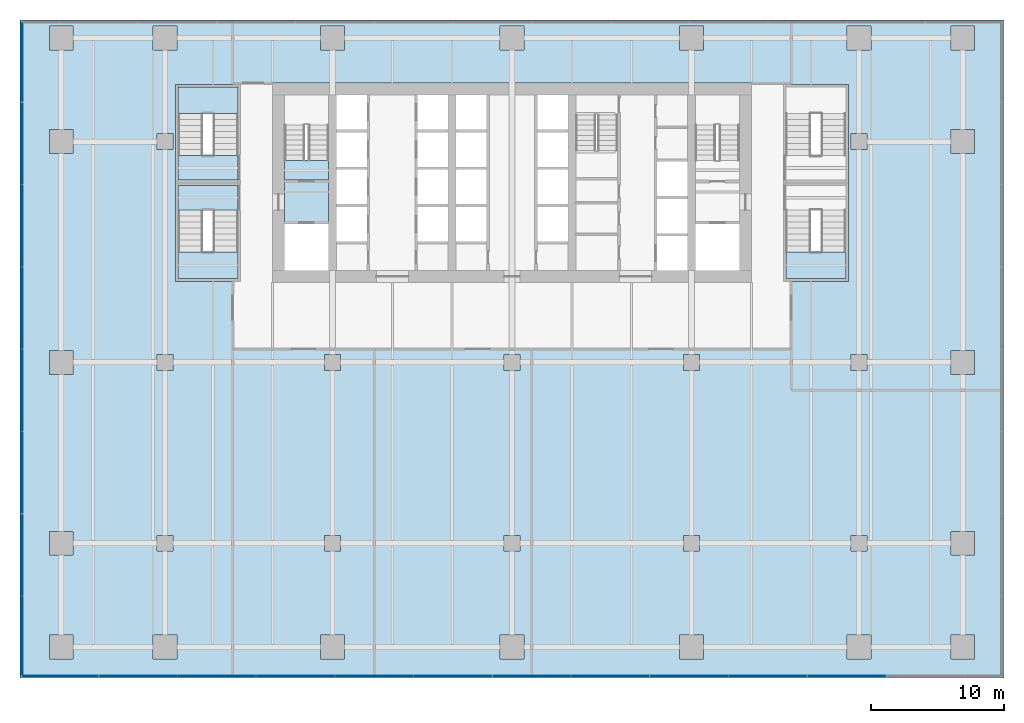
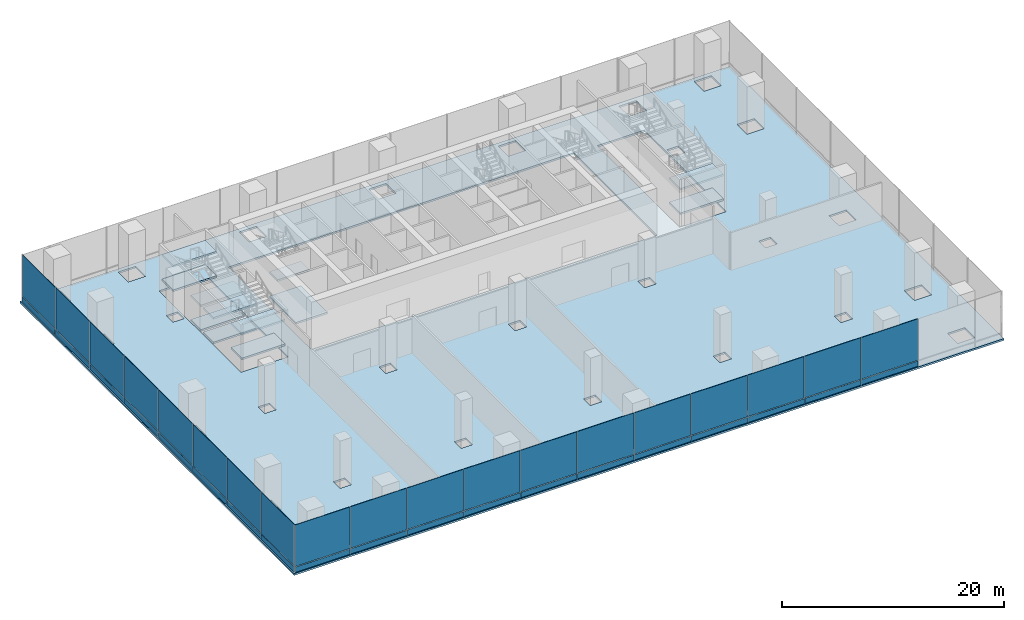
# One storey, part 17 of 26: 38 plates, 13 slabs, 6 elements without a shape of their own.
"""IFC4 building model written with IfcOpenShell, lengths in metres."""

from ifc_helpers import new_model, si_unit, direction, frame, origin, origin_2d, place, context, subcontext, project, spatial, polyline, rectangle, outline, extrude, material, layer, layer_set, type_object, element, aggregate, save


model = new_model("IFC4")

# Units and contexts
model_context = context("Model", 3, precision=1e-05, world=origin(), true_north=direction((0.0, 1.0)))
body_context = subcontext(model_context, "Body", "Model", "MODEL_VIEW")
ifc_project = project(units=[si_unit("LENGTHUNIT", "METRE"), si_unit("AREAUNIT", "SQUARE_METRE"), si_unit("VOLUMEUNIT", "CUBIC_METRE"), si_unit("PLANEANGLEUNIT", "RADIAN"), si_unit("MASSUNIT", "GRAM", prefix="KILO")], contexts=[model_context])

# Site, building, storey
site_placement = place(None, origin())
site = spatial("IfcSite", under=ifc_project, at=site_placement, CompositionType="ELEMENT")
building_placement = place(site_placement, origin())
building = spatial("IfcBuilding", under=site, at=building_placement, Name="Rattan Terrace Tower", CompositionType="ELEMENT")
storey_placement = place(building_placement, frame((0.0, 0.0, 7.199951171875)))
storey = spatial("IfcBuildingStorey", under=building, at=storey_placement, Name="L01", CompositionType="ELEMENT", Elevation=7.199951171875)

# Stair, slab
ifc_material_1 = material(Name="Concrete C40/50", Category="concrete")
stair_type_1 = type_object("IfcStairType", Name="Core exit stair 1500", PredefinedType="HALF_TURN_STAIR", material=ifc_material_1)
stair_1_placement = place(storey_placement, origin())
stair_1 = element("IfcStair", 1, at=stair_1_placement, inside=storey, type_object=stair_type_1, Name="L01 exit stair 1", PredefinedType="HALF_TURN_STAIR")
ifc_material_2 = material(Name="Concrete C40/50", Category="concrete")
ifc_layer_1 = layer(ifc_material_2, 0.199951171875)
ifc_layer_set_1 = layer_set([ifc_layer_1], Name="Core exit stair landing")
slab_type_1 = type_object("IfcSlabType", Name="Core exit stair landing", PredefinedType="LANDING", material=ifc_layer_set_1)
slab_1_placement = place(storey_placement, frame((0.0, 0.0, 2.5)))
slab_1 = element("IfcSlab", 2, at=slab_1_placement, type_object=slab_type_1, Name="S1 landing 2", PredefinedType="LANDING", context=body_context, shape_type="SweptSolid", body=[
    extrude(outline(polyline([(-13.800048828125, 0.199951171875), (-13.800048828125, 1.699951171875), (-17.10009765625, 1.699951171875), (-17.10009765625, 0.199951171875), (-13.800048828125, 0.199951171875)])), origin(), (0.0, 0.0, 1.0), 0.199951171875),
])
aggregate(stair_1, [slab_1])

# Stair, slabs
ifc_material_3 = material(Name="Concrete C40/50", Category="concrete")
stair_type_2 = type_object("IfcStairType", Name="Core exit stair 1850", PredefinedType="HALF_TURN_STAIR", material=ifc_material_3)
stair_2_placement = place(storey_placement, origin())
stair_2 = element("IfcStair", 3, at=stair_2_placement, inside=storey, type_object=stair_type_2, Name="L01 exit stair 4", PredefinedType="HALF_TURN_STAIR")
slab_2_placement = place(storey_placement, frame((0.0, 0.0, 1.150146484375)))
slab_2 = element("IfcSlab", 4, at=slab_2_placement, type_object=slab_type_1, Name="S4 landing 1", PredefinedType="LANDING", context=body_context, shape_type="SweptSolid", body=[
    extrude(outline(polyline([(-25.10009765625, -5.199951171875), (-25.10009765625, -7.199951171875), (-20.60009765625, -7.199951171875), (-20.60009765625, -5.199951171875), (-25.10009765625, -5.199951171875)])), origin(), (0.0, 0.0, 1.0), 0.199951171875),
])
slab_3_placement = place(storey_placement, frame((0.0, 0.0, 2.5)))
slab_3 = element("IfcSlab", 5, at=slab_3_placement, type_object=slab_type_1, Name="S4 landing 2", PredefinedType="LANDING", context=body_context, shape_type="SweptSolid", body=[
    extrude(outline(polyline([(-25.10009765625, -0.199951171875), (-25.10009765625, -2.050048828125), (-20.60009765625, -2.050048828125), (-20.60009765625, -0.199951171875), (-25.10009765625, -0.199951171875)])), origin(), (0.0, 0.0, 1.0), 0.199951171875),
])
slab_4_placement = place(storey_placement, frame((0.0, 0.0, 3.85009765625)))
slab_4 = element("IfcSlab", 6, at=slab_4_placement, type_object=slab_type_1, Name="S4 landing 3", PredefinedType="LANDING", context=body_context, shape_type="SweptSolid", body=[
    extrude(outline(polyline([(-25.10009765625, -5.199951171875), (-25.10009765625, -7.199951171875), (-20.60009765625, -7.199951171875), (-20.60009765625, -5.199951171875), (-25.10009765625, -5.199951171875)])), origin(), (0.0, 0.0, 1.0), 0.199951171875),
])
aggregate(stair_2, [slab_2, slab_3, slab_4])

stair_3_placement = place(storey_placement, origin())
stair_3 = element("IfcStair", 7, at=stair_3_placement, inside=storey, type_object=stair_type_2, Name="L01 exit stair 5", PredefinedType="HALF_TURN_STAIR")
slab_5_placement = place(storey_placement, frame((0.0, 0.0, 1.150146484375)))
slab_5 = element("IfcSlab", 8, at=slab_5_placement, type_object=slab_type_1, Name="S5 landing 1", PredefinedType="LANDING", context=body_context, shape_type="SweptSolid", body=[
    extrude(outline(polyline([(-20.60009765625, 5.199951171875), (-20.60009765625, 7.199951171875), (-25.10009765625, 7.199951171875), (-25.10009765625, 5.199951171875), (-20.60009765625, 5.199951171875)])), origin(), (0.0, 0.0, 1.0), 0.199951171875),
])
slab_6_placement = place(storey_placement, frame((0.0, 0.0, 2.5)))
slab_6 = element("IfcSlab", 9, at=slab_6_placement, type_object=slab_type_1, Name="S5 landing 2", PredefinedType="LANDING", context=body_context, shape_type="SweptSolid", body=[
    extrude(outline(polyline([(-20.60009765625, 0.199951171875), (-20.60009765625, 2.050048828125), (-25.10009765625, 2.050048828125), (-25.10009765625, 0.199951171875), (-20.60009765625, 0.199951171875)])), origin(), (0.0, 0.0, 1.0), 0.199951171875),
])
slab_7_placement = place(storey_placement, frame((0.0, 0.0, 3.85009765625)))
slab_7 = element("IfcSlab", 10, at=slab_7_placement, type_object=slab_type_1, Name="S5 landing 3", PredefinedType="LANDING", context=body_context, shape_type="SweptSolid", body=[
    extrude(outline(polyline([(-20.60009765625, 5.199951171875), (-20.60009765625, 7.199951171875), (-25.10009765625, 7.199951171875), (-25.10009765625, 5.199951171875), (-20.60009765625, 5.199951171875)])), origin(), (0.0, 0.0, 1.0), 0.199951171875),
])
aggregate(stair_3, [slab_5, slab_6, slab_7])

stair_4_placement = place(storey_placement, origin())
stair_4 = element("IfcStair", 11, at=stair_4_placement, inside=storey, type_object=stair_type_2, Name="L01 exit stair 6", PredefinedType="HALF_TURN_STAIR")
slab_8_placement = place(storey_placement, frame((0.0, 0.0, 1.150146484375)))
slab_8 = element("IfcSlab", 12, at=slab_8_placement, type_object=slab_type_1, Name="S6 landing 1", PredefinedType="LANDING", context=body_context, shape_type="SweptSolid", body=[
    extrude(outline(polyline([(20.60009765625, -5.199951171875), (20.60009765625, -7.199951171875), (25.10009765625, -7.199951171875), (25.10009765625, -5.199951171875), (20.60009765625, -5.199951171875)])), origin(), (0.0, 0.0, 1.0), 0.199951171875),
])
slab_9_placement = place(storey_placement, frame((0.0, 0.0, 3.85009765625)))
slab_9 = element("IfcSlab", 13, at=slab_9_placement, type_object=slab_type_1, Name="S6 landing 3", PredefinedType="LANDING", context=body_context, shape_type="SweptSolid", body=[
    extrude(outline(polyline([(20.60009765625, -5.199951171875), (20.60009765625, -7.199951171875), (25.10009765625, -7.199951171875), (25.10009765625, -5.199951171875), (20.60009765625, -5.199951171875)])), origin(), (0.0, 0.0, 1.0), 0.199951171875),
])
aggregate(stair_4, [slab_8, slab_9])

# Slabs
ifc_material_4 = material(Name="Concrete C35/45", Category="concrete")
ifc_layer_2 = layer(ifc_material_4, 0.199951171875)
ifc_layer_set_2 = layer_set([ifc_layer_2], Name="Frame composite floor slab 200")
slab_type_2 = type_object("IfcSlabType", Name="Frame composite floor slab 200", PredefinedType="FLOOR", material=ifc_layer_set_2)
slab_10_placement = place(storey_placement, frame((0.0, 0.0, -0.199951171875)))
element("IfcSlab", 14, at=slab_10_placement, inside=storey, type_object=slab_type_2, Name="Floor slab", PredefinedType="FLOOR", context=body_context, shape_type="SweptSolid", body=[
    extrude(outline(polyline([(-37.0, -37.25), (37.0, -37.25), (37.0, 12.25), (-37.0, 12.25), (-37.0, -37.25)]), holes=[polyline([(-34.800048828125, -34.0), (-34.800048828125, -35.800048828125), (-33.0, -35.800048828125), (-33.0, -34.0), (-34.800048828125, -34.0)]), polyline([(-14.39990234375, -34.0), (-14.39990234375, -35.800048828125), (-12.60009765625, -35.800048828125), (-12.60009765625, -34.0), (-14.39990234375, -34.0)]), polyline([(-27.0, -34.0), (-27.0, -35.800048828125), (-25.199951171875, -35.800048828125), (-25.199951171875, -34.0), (-27.0, -34.0)]), polyline([(-12.89990234375, -26.5), (-14.10009765625, -26.5), (-14.10009765625, -27.699951171875), (-12.89990234375, -27.699951171875), (-12.89990234375, -26.5)]), polyline([(-25.5, -26.5), (-26.699951171875, -26.5), (-26.699951171875, -27.699951171875), (-25.5, -27.699951171875), (-25.5, -26.5)]), polyline([(-34.800048828125, -28.0), (-33.0, -28.0), (-33.0, -26.199951171875), (-34.800048828125, -26.199951171875), (-34.800048828125, -28.0)]), polyline([(-34.800048828125, -14.39990234375), (-33.0, -14.39990234375), (-33.0, -12.60009765625), (-34.800048828125, -12.60009765625), (-34.800048828125, -14.39990234375)]), polyline([(-14.10009765625, -12.89990234375), (-14.10009765625, -14.10009765625), (-12.89990234375, -14.10009765625), (-12.89990234375, -12.89990234375), (-14.10009765625, -12.89990234375)]), polyline([(-25.5, -12.89990234375), (-26.699951171875, -12.89990234375), (-26.699951171875, -14.10009765625), (-25.5, -14.10009765625), (-25.5, -12.89990234375)]), polyline([(-25.10009765625, -7.39990234375), (-20.60009765625, -7.39990234375), (-20.60009765625, -7.39990234375), (-20.39990234375, -7.39990234375), (-20.39990234375, 0.0), (-20.39990234375, 7.39990234375), (-20.60009765625, 7.39990234375), (-20.60009765625, 7.39990234375), (-25.10009765625, 7.39990234375), (-25.10009765625, 7.39990234375), (-25.300048828125, 7.39990234375), (-25.300048828125, 0.0), (-25.300048828125, -7.39990234375), (-25.10009765625, -7.39990234375), (-25.10009765625, -7.39990234375)]), polyline([(18.0, -6.60009765625), (18.0, 6.60009765625), (18.0, 7.5), (-18.0, 7.5), (-18.0, 6.60009765625), (-18.0, -6.60009765625), (-18.0, -7.5), (18.0, -7.5), (18.0, -6.60009765625)]), polyline([(-26.699951171875, 3.699951171875), (-26.699951171875, 2.5), (-25.5, 2.5), (-25.5, 3.699951171875), (-26.699951171875, 3.699951171875)]), polyline([(-34.800048828125, 4.0), (-34.800048828125, 2.199951171875), (-33.0, 2.199951171875), (-33.0, 4.0), (-34.800048828125, 4.0)]), polyline([(-25.199951171875, 11.800048828125), (-27.0, 11.800048828125), (-27.0, 10.0), (-25.199951171875, 10.0), (-25.199951171875, 11.800048828125)]), polyline([(-14.39990234375, 11.800048828125), (-14.39990234375, 10.0), (-12.60009765625, 10.0), (-12.60009765625, 11.800048828125), (-14.39990234375, 11.800048828125)]), polyline([(-34.800048828125, 11.800048828125), (-34.800048828125, 10.0), (-33.0, 10.0), (-33.0, 11.800048828125), (-34.800048828125, 11.800048828125)]), polyline([(-0.89990234375, -34.0), (-0.89990234375, -35.800048828125), (0.89990234375, -35.800048828125), (0.89990234375, -34.0), (-0.89990234375, -34.0)]), polyline([(0.60009765625, -26.5), (-0.60009765625, -26.5), (-0.60009765625, -27.699951171875), (0.60009765625, -27.699951171875), (0.60009765625, -26.5)]), polyline([(0.60009765625, -12.89990234375), (-0.60009765625, -12.89990234375), (-0.60009765625, -14.10009765625), (0.60009765625, -14.10009765625), (0.60009765625, -12.89990234375)]), polyline([(0.89990234375, 11.800048828125), (-0.89990234375, 11.800048828125), (-0.89990234375, 10.0), (0.89990234375, 10.0), (0.89990234375, 11.800048828125)]), polyline([(34.800048828125, -34.0), (33.0, -34.0), (33.0, -35.800048828125), (34.800048828125, -35.800048828125), (34.800048828125, -34.0)]), polyline([(25.199951171875, -34.0), (25.199951171875, -35.800048828125), (27.0, -35.800048828125), (27.0, -34.0), (25.199951171875, -34.0)]), polyline([(14.39990234375, -34.0), (12.60009765625, -34.0), (12.60009765625, -35.800048828125), (14.39990234375, -35.800048828125), (14.39990234375, -34.0)]), polyline([(14.10009765625, -26.5), (12.89990234375, -26.5), (12.89990234375, -27.699951171875), (14.10009765625, -27.699951171875), (14.10009765625, -26.5)]), polyline([(33.0, -28.0), (34.800048828125, -28.0), (34.800048828125, -26.199951171875), (33.0, -26.199951171875), (33.0, -28.0)]), polyline([(26.699951171875, -26.5), (25.5, -26.5), (25.5, -27.699951171875), (26.699951171875, -27.699951171875), (26.699951171875, -26.5)]), polyline([(33.0, -12.60009765625), (33.0, -14.39990234375), (34.800048828125, -14.39990234375), (34.800048828125, -12.60009765625), (33.0, -12.60009765625)]), polyline([(12.89990234375, -12.89990234375), (12.89990234375, -14.10009765625), (14.10009765625, -14.10009765625), (14.10009765625, -12.89990234375), (12.89990234375, -12.89990234375)]), polyline([(25.5, -12.89990234375), (25.5, -14.10009765625), (26.699951171875, -14.10009765625), (26.699951171875, -12.89990234375), (25.5, -12.89990234375)]), polyline([(20.60009765625, -7.39990234375), (20.60009765625, -7.39990234375), (25.10009765625, -7.39990234375), (25.10009765625, -7.39990234375), (25.300048828125, -7.39990234375), (25.300048828125, 0.0), (25.300048828125, 7.39990234375), (25.10009765625, 7.39990234375), (25.10009765625, 7.39990234375), (20.60009765625, 7.39990234375), (20.60009765625, 7.39990234375), (20.39990234375, 7.39990234375), (20.39990234375, 0.0), (20.39990234375, -7.39990234375), (20.60009765625, -7.39990234375)]), polyline([(25.5, 3.699951171875), (25.5, 2.5), (26.699951171875, 2.5), (26.699951171875, 3.699951171875), (25.5, 3.699951171875)]), polyline([(33.0, 2.199951171875), (34.800048828125, 2.199951171875), (34.800048828125, 4.0), (33.0, 4.0), (33.0, 2.199951171875)]), polyline([(25.199951171875, 11.800048828125), (25.199951171875, 10.0), (27.0, 10.0), (27.0, 11.800048828125), (25.199951171875, 11.800048828125)]), polyline([(34.800048828125, 11.800048828125), (33.0, 11.800048828125), (33.0, 10.0), (34.800048828125, 10.0), (34.800048828125, 11.800048828125)]), polyline([(14.39990234375, 11.800048828125), (12.60009765625, 11.800048828125), (12.60009765625, 10.0), (14.39990234375, 10.0), (14.39990234375, 11.800048828125)])]), origin(), (0.0, 0.0, 1.0), 0.199951171875),
])
slab_11_placement = place(storey_placement, frame((0.0, 0.0, -0.199951171875)))
element("IfcSlab", 15, at=slab_11_placement, inside=storey, type_object=slab_type_2, Name="Floor slab", PredefinedType="FLOOR", context=body_context, shape_type="SweptSolid", body=[
    extrude(outline(polyline([(-20.60009765625, 0.199951171875), (-20.60009765625, 2.06005859375), (-25.10009765625, 2.06005859375), (-25.10009765625, 0.199951171875), (-20.60009765625, 0.199951171875)])), origin(), (0.0, 0.0, 1.0), 0.199951171875),
])
slab_12_placement = place(storey_placement, frame((0.0, 0.0, -0.199951171875)))
element("IfcSlab", 16, at=slab_12_placement, inside=storey, type_object=slab_type_2, Name="Floor slab", PredefinedType="FLOOR", context=body_context, shape_type="SweptSolid", body=[
    extrude(outline(polyline([(-25.10009765625, -2.06005859375), (-20.60009765625, -2.06005859375), (-20.60009765625, -0.199951171875), (-25.10009765625, -0.199951171875), (-25.10009765625, -2.06005859375)])), origin(), (0.0, 0.0, 1.0), 0.199951171875),
])
slab_13_placement = place(storey_placement, frame((0.0, 0.0, -0.199951171875)))
element("IfcSlab", 17, at=slab_13_placement, inside=storey, type_object=slab_type_2, Name="Floor slab", PredefinedType="FLOOR", context=body_context, shape_type="SweptSolid", body=[
    extrude(outline(polyline([(-17.10009765625, -3.10009765625), (-13.800048828125, -3.10009765625), (-13.800048828125, 1.7099609375), (-17.10009765625, 1.7099609375), (-17.10009765625, -3.10009765625)])), origin(), (0.0, 0.0, 1.0), 0.199951171875),
])

# Curtain wall, plates
ifc_material_5 = material(Name="Aluminium and glass", Category="aluminium")
ifc_layer_3 = layer(ifc_material_5, 0.1201171875)
ifc_layer_set_3 = layer_set([ifc_layer_3], Name="Station Storefront Curtain Wall")
curtain_wall_type = type_object("IfcCurtainWallType", Name="Station Storefront Curtain Wall", PredefinedType="NOTDEFINED", material=ifc_layer_set_3)
curtain_wall_1_placement = place(storey_placement, origin())
curtain_wall_1 = element("IfcCurtainWall", 18, at=curtain_wall_1_placement, inside=storey, type_object=curtain_wall_type, Name="Storefront curtain wall L01-3", PredefinedType="NOTDEFINED")
ifc_material_6 = material(Name="Granite bulkhead panel", Category="masonry")
ifc_layer_4 = layer(ifc_material_6, 0.110107421875)
ifc_layer_set_4 = layer_set([ifc_layer_4], Name="Storefront CW Stone Bulkhead Panel")
plate_type_1 = type_object("IfcPlateType", Name="Storefront CW Stone Bulkhead Panel", PredefinedType="CURTAIN_PANEL", material=ifc_layer_set_4)
plate_1_placement = place(storey_placement, frame((-36.830078125, 9.08837890625, 0.0), z_axis=(0.0, 0.0, 1.0), x_axis=(0.0, -1.0, 0.0)))
plate_1 = element("IfcPlate", 19, at=plate_1_placement, type_object=plate_type_1, Name="Panel cwl-L01-003.1.1", PredefinedType="CURTAIN_PANEL", context=body_context, shape_type="SweptSolid", body=[
    extrude(rectangle(XDim=6.0029296875, YDim=0.110107421875, at=origin_2d()), origin(), (0.0, 0.0, 1.0), 0.574951171875),
])
plate_2_placement = place(storey_placement, frame((-36.830078125, 2.968017578125, 0.0), z_axis=(0.0, 0.0, 1.0), x_axis=(0.0, -1.0, 0.0)))
plate_2 = element("IfcPlate", 20, at=plate_2_placement, type_object=plate_type_1, Name="Panel cwl-L01-003.2.1", PredefinedType="CURTAIN_PANEL", context=body_context, shape_type="SweptSolid", body=[
    extrude(rectangle(XDim=6.137939453125, YDim=0.110107421875, at=origin_2d()), origin(), (0.0, 0.0, 1.0), 0.574951171875),
])
plate_3_placement = place(storey_placement, frame((-36.830078125, -3.219970703125, 0.0), z_axis=(0.0, 0.0, 1.0), x_axis=(0.0, -1.0, 0.0)))
plate_3 = element("IfcPlate", 21, at=plate_3_placement, type_object=plate_type_1, Name="Panel cwl-L01-003.3.1", PredefinedType="CURTAIN_PANEL", context=body_context, shape_type="SweptSolid", body=[
    extrude(rectangle(XDim=6.137939453125, YDim=0.110107421875, at=origin_2d()), origin(), (0.0, 0.0, 1.0), 0.574951171875),
])
plate_4_placement = place(storey_placement, frame((-36.830078125, -9.407958984375, 0.0), z_axis=(0.0, 0.0, 1.0), x_axis=(0.0, -1.0, 0.0)))
plate_4 = element("IfcPlate", 22, at=plate_4_placement, type_object=plate_type_1, Name="Panel cwl-L01-003.4.1", PredefinedType="CURTAIN_PANEL", context=body_context, shape_type="SweptSolid", body=[
    extrude(rectangle(XDim=6.137939453125, YDim=0.110107421875, at=origin_2d()), origin(), (0.0, 0.0, 1.0), 0.574951171875),
])
plate_5_placement = place(storey_placement, frame((-36.830078125, -15.595947265625, 0.0), z_axis=(0.0, 0.0, 1.0), x_axis=(0.0, -1.0, 0.0)))
plate_5 = element("IfcPlate", 23, at=plate_5_placement, type_object=plate_type_1, Name="Panel cwl-L01-003.5.1", PredefinedType="CURTAIN_PANEL", context=body_context, shape_type="SweptSolid", body=[
    extrude(rectangle(XDim=6.137939453125, YDim=0.110107421875, at=origin_2d()), origin(), (0.0, 0.0, 1.0), 0.574951171875),
])
plate_6_placement = place(storey_placement, frame((-36.830078125, -21.783935546875, 0.0), z_axis=(0.0, 0.0, 1.0), x_axis=(0.0, -1.0, 0.0)))
plate_6 = element("IfcPlate", 24, at=plate_6_placement, type_object=plate_type_1, Name="Panel cwl-L01-003.6.1", PredefinedType="CURTAIN_PANEL", context=body_context, shape_type="SweptSolid", body=[
    extrude(rectangle(XDim=6.137939453125, YDim=0.110107421875, at=origin_2d()), origin(), (0.0, 0.0, 1.0), 0.574951171875),
])
plate_7_placement = place(storey_placement, frame((-36.830078125, -27.971923828125, 0.0), z_axis=(0.0, 0.0, 1.0), x_axis=(0.0, -1.0, 0.0)))
plate_7 = element("IfcPlate", 25, at=plate_7_placement, type_object=plate_type_1, Name="Panel cwl-L01-003.7.1", PredefinedType="CURTAIN_PANEL", context=body_context, shape_type="SweptSolid", body=[
    extrude(rectangle(XDim=6.137939453125, YDim=0.110107421875, at=origin_2d()), origin(), (0.0, 0.0, 1.0), 0.574951171875),
])
plate_8_placement = place(storey_placement, frame((-36.830078125, -34.055419921875, 0.0), z_axis=(0.0, 0.0, 1.0), x_axis=(0.0, -1.0, 0.0)))
plate_8 = element("IfcPlate", 26, at=plate_8_placement, type_object=plate_type_1, Name="Panel cwl-L01-003.8.1", PredefinedType="CURTAIN_PANEL", context=body_context, shape_type="SweptSolid", body=[
    extrude(rectangle(XDim=5.928955078125, YDim=0.110107421875, at=origin_2d()), origin(), (0.0, 0.0, 1.0), 0.574951171875),
])

curtain_wall_2_placement = place(storey_placement, origin())
curtain_wall_2 = element("IfcCurtainWall", 27, at=curtain_wall_2_placement, inside=storey, type_object=curtain_wall_type, Name="Storefront curtain wall L01-4", PredefinedType="NOTDEFINED")
plate_9_placement = place(storey_placement, frame((-33.972412109375, -37.080078125, 0.0), z_axis=(0.0, 0.0, 1.0), x_axis=(1.0, 0.0, 0.0)))
plate_9 = element("IfcPlate", 28, at=plate_9_placement, type_object=plate_type_1, Name="Panel cwl-L01-004.1.1", PredefinedType="CURTAIN_PANEL", context=body_context, shape_type="SweptSolid", body=[
    extrude(rectangle(XDim=5.735107421875, YDim=0.110107421875, at=origin_2d()), origin(), (0.0, 0.0, 1.0), 0.574951171875),
])
plate_10_placement = place(storey_placement, frame((-28.1201171875, -37.080078125, 0.0), z_axis=(0.0, 0.0, 1.0), x_axis=(1.0, 0.0, 0.0)))
plate_10 = element("IfcPlate", 29, at=plate_10_placement, type_object=plate_type_1, Name="Panel cwl-L01-004.2.1", PredefinedType="CURTAIN_PANEL", context=body_context, shape_type="SweptSolid", body=[
    extrude(rectangle(XDim=5.8701171875, YDim=0.110107421875, at=origin_2d()), origin(), (0.0, 0.0, 1.0), 0.574951171875),
])
plate_11_placement = place(storey_placement, frame((-22.199951171875, -37.080078125, 0.0), z_axis=(0.0, 0.0, 1.0), x_axis=(1.0, 0.0, 0.0)))
plate_11 = element("IfcPlate", 30, at=plate_11_placement, type_object=plate_type_1, Name="Panel cwl-L01-004.3.1", PredefinedType="CURTAIN_PANEL", context=body_context, shape_type="SweptSolid", body=[
    extrude(rectangle(XDim=5.8701171875, YDim=0.110107421875, at=origin_2d()), origin(), (0.0, 0.0, 1.0), 0.574951171875),
])
plate_12_placement = place(storey_placement, frame((-16.280029296875, -37.080078125, 0.0), z_axis=(0.0, 0.0, 1.0), x_axis=(1.0, 0.0, 0.0)))
plate_12 = element("IfcPlate", 31, at=plate_12_placement, type_object=plate_type_1, Name="Panel cwl-L01-004.4.1", PredefinedType="CURTAIN_PANEL", context=body_context, shape_type="SweptSolid", body=[
    extrude(rectangle(XDim=5.8701171875, YDim=0.110107421875, at=origin_2d()), origin(), (0.0, 0.0, 1.0), 0.574951171875),
])
plate_13_placement = place(storey_placement, frame((-10.360107421875, -37.080078125, 0.0), z_axis=(0.0, 0.0, 1.0), x_axis=(1.0, 0.0, 0.0)))
plate_13 = element("IfcPlate", 32, at=plate_13_placement, type_object=plate_type_1, Name="Panel cwl-L01-004.5.1", PredefinedType="CURTAIN_PANEL", context=body_context, shape_type="SweptSolid", body=[
    extrude(rectangle(XDim=5.8701171875, YDim=0.110107421875, at=origin_2d()), origin(), (0.0, 0.0, 1.0), 0.574951171875),
])
plate_14_placement = place(storey_placement, frame((-4.43994140625, -37.080078125, 0.0), z_axis=(0.0, 0.0, 1.0), x_axis=(1.0, 0.0, 0.0)))
plate_14 = element("IfcPlate", 33, at=plate_14_placement, type_object=plate_type_1, Name="Panel cwl-L01-004.6.1", PredefinedType="CURTAIN_PANEL", context=body_context, shape_type="SweptSolid", body=[
    extrude(rectangle(XDim=5.8701171875, YDim=0.110107421875, at=origin_2d()), origin(), (0.0, 0.0, 1.0), 0.574951171875),
])
plate_15_placement = place(storey_placement, frame((1.47998046875, -37.080078125, 0.0), z_axis=(0.0, 0.0, 1.0), x_axis=(1.0, 0.0, 0.0)))
plate_15 = element("IfcPlate", 34, at=plate_15_placement, type_object=plate_type_1, Name="Panel cwl-L01-004.7.1", PredefinedType="CURTAIN_PANEL", context=body_context, shape_type="SweptSolid", body=[
    extrude(rectangle(XDim=5.8701171875, YDim=0.110107421875, at=origin_2d()), origin(), (0.0, 0.0, 1.0), 0.574951171875),
])
plate_16_placement = place(storey_placement, frame((7.39990234375, -37.080078125, 0.0), z_axis=(0.0, 0.0, 1.0), x_axis=(1.0, 0.0, 0.0)))
plate_16 = element("IfcPlate", 35, at=plate_16_placement, type_object=plate_type_1, Name="Panel cwl-L01-004.8.1", PredefinedType="CURTAIN_PANEL", context=body_context, shape_type="SweptSolid", body=[
    extrude(rectangle(XDim=5.8701171875, YDim=0.110107421875, at=origin_2d()), origin(), (0.0, 0.0, 1.0), 0.574951171875),
])
plate_17_placement = place(storey_placement, frame((13.320068359375, -37.080078125, 0.0), z_axis=(0.0, 0.0, 1.0), x_axis=(1.0, 0.0, 0.0)))
plate_17 = element("IfcPlate", 36, at=plate_17_placement, type_object=plate_type_1, Name="Panel cwl-L01-004.9.1", PredefinedType="CURTAIN_PANEL", context=body_context, shape_type="SweptSolid", body=[
    extrude(rectangle(XDim=5.8701171875, YDim=0.110107421875, at=origin_2d()), origin(), (0.0, 0.0, 1.0), 0.574951171875),
])
plate_18_placement = place(storey_placement, frame((19.239990234375, -37.080078125, 0.0), z_axis=(0.0, 0.0, 1.0), x_axis=(1.0, 0.0, 0.0)))
plate_18 = element("IfcPlate", 37, at=plate_18_placement, type_object=plate_type_1, Name="Panel cwl-L01-004.10.1", PredefinedType="CURTAIN_PANEL", context=body_context, shape_type="SweptSolid", body=[
    extrude(rectangle(XDim=5.8701171875, YDim=0.110107421875, at=origin_2d()), origin(), (0.0, 0.0, 1.0), 0.574951171875),
])
plate_19_placement = place(storey_placement, frame((25.159912109375, -37.080078125, 0.0), z_axis=(0.0, 0.0, 1.0), x_axis=(1.0, 0.0, 0.0)))
plate_19 = element("IfcPlate", 38, at=plate_19_placement, type_object=plate_type_1, Name="Panel cwl-L01-004.11.1", PredefinedType="CURTAIN_PANEL", context=body_context, shape_type="SweptSolid", body=[
    extrude(rectangle(XDim=5.8701171875, YDim=0.110107421875, at=origin_2d()), origin(), (0.0, 0.0, 1.0), 0.574951171875),
])

# Plate
ifc_material_7 = material(Name="Clear toughened glass", Category="glass")
ifc_layer_5 = layer(ifc_material_7, 0.0439453125)
ifc_layer_set_5 = layer_set([ifc_layer_5], Name="Storefront CW Vision Panel")
plate_type_2 = type_object("IfcPlateType", Name="Storefront CW Vision Panel", PredefinedType="CURTAIN_PANEL", material=ifc_layer_set_5)
plate_20_placement = place(storey_placement, frame((-36.830078125, 9.08837890625, 0.625), z_axis=(0.0, 0.0, 1.0), x_axis=(0.0, -1.0, 0.0)))
plate_20 = element("IfcPlate", 39, at=plate_20_placement, type_object=plate_type_2, Name="Panel cwl-L01-003.1.2", PredefinedType="CURTAIN_PANEL", context=body_context, shape_type="SweptSolid", body=[
    extrude(rectangle(XDim=6.0029296875, YDim=0.0439453125, at=origin_2d()), origin(), (0.0, 0.0, 1.0), 4.574951171875),
])

plate_21_placement = place(storey_placement, frame((-36.830078125, 2.968017578125, 0.625), z_axis=(0.0, 0.0, 1.0), x_axis=(0.0, -1.0, 0.0)))
plate_21 = element("IfcPlate", 40, at=plate_21_placement, type_object=plate_type_2, Name="Panel cwl-L01-003.2.2", PredefinedType="CURTAIN_PANEL", context=body_context, shape_type="SweptSolid", body=[
    extrude(rectangle(XDim=6.137939453125, YDim=0.0439453125, at=origin_2d()), origin(), (0.0, 0.0, 1.0), 4.574951171875),
])

plate_22_placement = place(storey_placement, frame((-36.830078125, -3.219970703125, 0.625), z_axis=(0.0, 0.0, 1.0), x_axis=(0.0, -1.0, 0.0)))
plate_22 = element("IfcPlate", 41, at=plate_22_placement, type_object=plate_type_2, Name="Panel cwl-L01-003.3.2", PredefinedType="CURTAIN_PANEL", context=body_context, shape_type="SweptSolid", body=[
    extrude(rectangle(XDim=6.137939453125, YDim=0.0439453125, at=origin_2d()), origin(), (0.0, 0.0, 1.0), 4.574951171875),
])

plate_23_placement = place(storey_placement, frame((-36.830078125, -9.407958984375, 0.625), z_axis=(0.0, 0.0, 1.0), x_axis=(0.0, -1.0, 0.0)))
plate_23 = element("IfcPlate", 42, at=plate_23_placement, type_object=plate_type_2, Name="Panel cwl-L01-003.4.2", PredefinedType="CURTAIN_PANEL", context=body_context, shape_type="SweptSolid", body=[
    extrude(rectangle(XDim=6.137939453125, YDim=0.0439453125, at=origin_2d()), origin(), (0.0, 0.0, 1.0), 4.574951171875),
])

plate_24_placement = place(storey_placement, frame((-36.830078125, -15.595947265625, 0.625), z_axis=(0.0, 0.0, 1.0), x_axis=(0.0, -1.0, 0.0)))
plate_24 = element("IfcPlate", 43, at=plate_24_placement, type_object=plate_type_2, Name="Panel cwl-L01-003.5.2", PredefinedType="CURTAIN_PANEL", context=body_context, shape_type="SweptSolid", body=[
    extrude(rectangle(XDim=6.137939453125, YDim=0.0439453125, at=origin_2d()), origin(), (0.0, 0.0, 1.0), 4.574951171875),
])

plate_25_placement = place(storey_placement, frame((-36.830078125, -21.783935546875, 0.625), z_axis=(0.0, 0.0, 1.0), x_axis=(0.0, -1.0, 0.0)))
plate_25 = element("IfcPlate", 44, at=plate_25_placement, type_object=plate_type_2, Name="Panel cwl-L01-003.6.2", PredefinedType="CURTAIN_PANEL", context=body_context, shape_type="SweptSolid", body=[
    extrude(rectangle(XDim=6.137939453125, YDim=0.0439453125, at=origin_2d()), origin(), (0.0, 0.0, 1.0), 4.574951171875),
])

plate_26_placement = place(storey_placement, frame((-36.830078125, -27.971923828125, 0.625), z_axis=(0.0, 0.0, 1.0), x_axis=(0.0, -1.0, 0.0)))
plate_26 = element("IfcPlate", 45, at=plate_26_placement, type_object=plate_type_2, Name="Panel cwl-L01-003.7.2", PredefinedType="CURTAIN_PANEL", context=body_context, shape_type="SweptSolid", body=[
    extrude(rectangle(XDim=6.137939453125, YDim=0.0439453125, at=origin_2d()), origin(), (0.0, 0.0, 1.0), 4.574951171875),
])

plate_27_placement = place(storey_placement, frame((-36.830078125, -34.055419921875, 0.625), z_axis=(0.0, 0.0, 1.0), x_axis=(0.0, -1.0, 0.0)))
plate_27 = element("IfcPlate", 46, at=plate_27_placement, type_object=plate_type_2, Name="Panel cwl-L01-003.8.2", PredefinedType="CURTAIN_PANEL", context=body_context, shape_type="SweptSolid", body=[
    extrude(rectangle(XDim=5.928955078125, YDim=0.0439453125, at=origin_2d()), origin(), (0.0, 0.0, 1.0), 4.574951171875),
])

aggregate(curtain_wall_1, [plate_1, plate_20, plate_2, plate_21, plate_3, plate_22, plate_4, plate_23, plate_5, plate_24, plate_6, plate_25, plate_7, plate_26, plate_8, plate_27])

plate_28_placement = place(storey_placement, frame((-33.972412109375, -37.080078125, 0.625), z_axis=(0.0, 0.0, 1.0), x_axis=(1.0, 0.0, 0.0)))
plate_28 = element("IfcPlate", 47, at=plate_28_placement, type_object=plate_type_2, Name="Panel cwl-L01-004.1.2", PredefinedType="CURTAIN_PANEL", context=body_context, shape_type="SweptSolid", body=[
    extrude(rectangle(XDim=5.735107421875, YDim=0.0439453125, at=origin_2d()), origin(), (0.0, 0.0, 1.0), 4.574951171875),
])

plate_29_placement = place(storey_placement, frame((-28.1201171875, -37.080078125, 0.625), z_axis=(0.0, 0.0, 1.0), x_axis=(1.0, 0.0, 0.0)))
plate_29 = element("IfcPlate", 48, at=plate_29_placement, type_object=plate_type_2, Name="Panel cwl-L01-004.2.2", PredefinedType="CURTAIN_PANEL", context=body_context, shape_type="SweptSolid", body=[
    extrude(rectangle(XDim=5.8701171875, YDim=0.0439453125, at=origin_2d()), origin(), (0.0, 0.0, 1.0), 4.574951171875),
])

plate_30_placement = place(storey_placement, frame((-22.199951171875, -37.080078125, 0.625), z_axis=(0.0, 0.0, 1.0), x_axis=(1.0, 0.0, 0.0)))
plate_30 = element("IfcPlate", 49, at=plate_30_placement, type_object=plate_type_2, Name="Panel cwl-L01-004.3.2", PredefinedType="CURTAIN_PANEL", context=body_context, shape_type="SweptSolid", body=[
    extrude(rectangle(XDim=5.8701171875, YDim=0.0439453125, at=origin_2d()), origin(), (0.0, 0.0, 1.0), 4.574951171875),
])

plate_31_placement = place(storey_placement, frame((-16.280029296875, -37.080078125, 0.625), z_axis=(0.0, 0.0, 1.0), x_axis=(1.0, 0.0, 0.0)))
plate_31 = element("IfcPlate", 50, at=plate_31_placement, type_object=plate_type_2, Name="Panel cwl-L01-004.4.2", PredefinedType="CURTAIN_PANEL", context=body_context, shape_type="SweptSolid", body=[
    extrude(rectangle(XDim=5.8701171875, YDim=0.0439453125, at=origin_2d()), origin(), (0.0, 0.0, 1.0), 4.574951171875),
])

plate_32_placement = place(storey_placement, frame((-10.360107421875, -37.080078125, 0.625), z_axis=(0.0, 0.0, 1.0), x_axis=(1.0, 0.0, 0.0)))
plate_32 = element("IfcPlate", 51, at=plate_32_placement, type_object=plate_type_2, Name="Panel cwl-L01-004.5.2", PredefinedType="CURTAIN_PANEL", context=body_context, shape_type="SweptSolid", body=[
    extrude(rectangle(XDim=5.8701171875, YDim=0.0439453125, at=origin_2d()), origin(), (0.0, 0.0, 1.0), 4.574951171875),
])

plate_33_placement = place(storey_placement, frame((-4.43994140625, -37.080078125, 0.625), z_axis=(0.0, 0.0, 1.0), x_axis=(1.0, 0.0, 0.0)))
plate_33 = element("IfcPlate", 52, at=plate_33_placement, type_object=plate_type_2, Name="Panel cwl-L01-004.6.2", PredefinedType="CURTAIN_PANEL", context=body_context, shape_type="SweptSolid", body=[
    extrude(rectangle(XDim=5.8701171875, YDim=0.0439453125, at=origin_2d()), origin(), (0.0, 0.0, 1.0), 4.574951171875),
])

plate_34_placement = place(storey_placement, frame((1.47998046875, -37.080078125, 0.625), z_axis=(0.0, 0.0, 1.0), x_axis=(1.0, 0.0, 0.0)))
plate_34 = element("IfcPlate", 53, at=plate_34_placement, type_object=plate_type_2, Name="Panel cwl-L01-004.7.2", PredefinedType="CURTAIN_PANEL", context=body_context, shape_type="SweptSolid", body=[
    extrude(rectangle(XDim=5.8701171875, YDim=0.0439453125, at=origin_2d()), origin(), (0.0, 0.0, 1.0), 4.574951171875),
])

plate_35_placement = place(storey_placement, frame((7.39990234375, -37.080078125, 0.625), z_axis=(0.0, 0.0, 1.0), x_axis=(1.0, 0.0, 0.0)))
plate_35 = element("IfcPlate", 54, at=plate_35_placement, type_object=plate_type_2, Name="Panel cwl-L01-004.8.2", PredefinedType="CURTAIN_PANEL", context=body_context, shape_type="SweptSolid", body=[
    extrude(rectangle(XDim=5.8701171875, YDim=0.0439453125, at=origin_2d()), origin(), (0.0, 0.0, 1.0), 4.574951171875),
])

plate_36_placement = place(storey_placement, frame((13.320068359375, -37.080078125, 0.625), z_axis=(0.0, 0.0, 1.0), x_axis=(1.0, 0.0, 0.0)))
plate_36 = element("IfcPlate", 55, at=plate_36_placement, type_object=plate_type_2, Name="Panel cwl-L01-004.9.2", PredefinedType="CURTAIN_PANEL", context=body_context, shape_type="SweptSolid", body=[
    extrude(rectangle(XDim=5.8701171875, YDim=0.0439453125, at=origin_2d()), origin(), (0.0, 0.0, 1.0), 4.574951171875),
])

plate_37_placement = place(storey_placement, frame((19.239990234375, -37.080078125, 0.625), z_axis=(0.0, 0.0, 1.0), x_axis=(1.0, 0.0, 0.0)))
plate_37 = element("IfcPlate", 56, at=plate_37_placement, type_object=plate_type_2, Name="Panel cwl-L01-004.10.2", PredefinedType="CURTAIN_PANEL", context=body_context, shape_type="SweptSolid", body=[
    extrude(rectangle(XDim=5.8701171875, YDim=0.0439453125, at=origin_2d()), origin(), (0.0, 0.0, 1.0), 4.574951171875),
])

plate_38_placement = place(storey_placement, frame((25.159912109375, -37.080078125, 0.625), z_axis=(0.0, 0.0, 1.0), x_axis=(1.0, 0.0, 0.0)))
plate_38 = element("IfcPlate", 57, at=plate_38_placement, type_object=plate_type_2, Name="Panel cwl-L01-004.11.2", PredefinedType="CURTAIN_PANEL", context=body_context, shape_type="SweptSolid", body=[
    extrude(rectangle(XDim=5.8701171875, YDim=0.0439453125, at=origin_2d()), origin(), (0.0, 0.0, 1.0), 4.574951171875),
])

aggregate(curtain_wall_2, [plate_9, plate_28, plate_10, plate_29, plate_11, plate_30, plate_12, plate_31, plate_13, plate_32, plate_14, plate_33, plate_15, plate_34, plate_16, plate_35, plate_17, plate_36, plate_18, plate_37, plate_19, plate_38])

save(model, "model.ifc")
